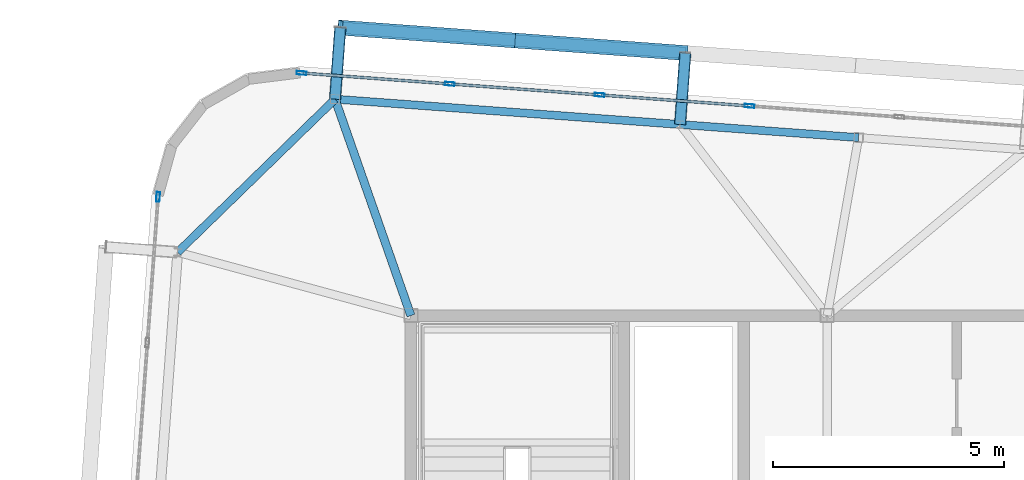
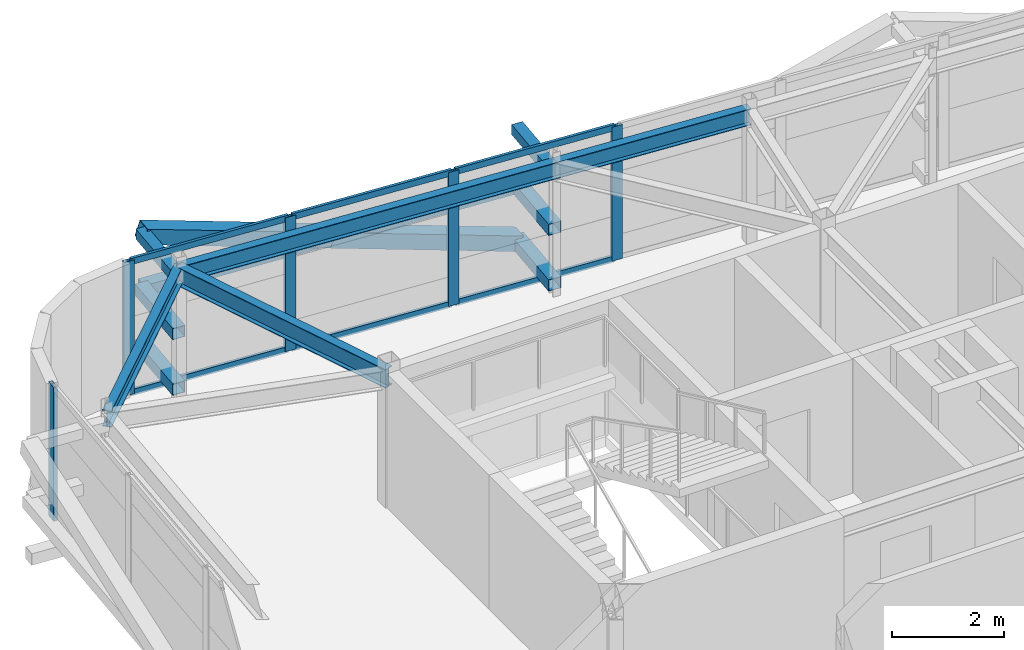
# One storey, part 26 of 42: 20 members, 4 beams, 2 elements without a shape of their own.
"""IFC4 building model written with IfcOpenShell, lengths in metres."""

import ifcopenshell
import ifcopenshell.guid

model = None  # the IFC model being written
_history = None  # IfcOwnerHistory: only IFC2X3 demands one
_inside = {}  # id of a spatial element -> (the spatial element, [elements in it])
_under = {}  # id of a project, library or spatial element -> (it, [spatial elements below it])
_declared = {}  # id of a project -> (the project, [libraries it declares])
_typed = {}  # id of a type object -> (the type object, [elements of that type])
_made_of = {}  # id of a material, layer set ... -> (it, [elements and type objects made of it])


def new_model(schema):
    """Start an empty IFC model of exactly this schema.

    Asked for "IFC4X3", IfcOpenShell would pick the latest addendum, in which some entities
    have other attributes; the version numbers below select the first issue.
    IFC2X3 requires an IfcOwnerHistory on every rooted entity: one is made here for all.
    """
    global model, _history
    if schema == "IFC4X3":
        model = ifcopenshell.file(schema_version=(4, 3, 0, 0))
    else:
        model = ifcopenshell.file(schema=schema)
    _inside.clear()
    _under.clear()
    _declared.clear()
    _typed.clear()
    _made_of.clear()
    _history = None
    if model.schema == "IFC2X3":
        org = make("IfcOrganization", Name="unknown")
        user = make(
            "IfcPersonAndOrganization",
            ThePerson=make("IfcPerson", FamilyName="unknown"),
            TheOrganization=org,
        )
        app = make(
            "IfcApplication",
            ApplicationDeveloper=org,
            Version="unknown",
            ApplicationFullName="unknown",
            ApplicationIdentifier="unknown",
        )
        _history = make(
            "IfcOwnerHistory",
            OwningUser=user,
            OwningApplication=app,
            ChangeAction="ADDED",
            CreationDate=0,
        )
    return model


def make(cls, **values):
    """One entity of the class cls with the attributes given. An attribute that is None is left unset."""
    return model.create_entity(
        cls, **{name: value for name, value in values.items() if value is not None}
    )


def rooted(cls, **values):
    """An entity with a GlobalId (a new one), such as an element, a storey or a relation."""
    return make(cls, GlobalId=ifcopenshell.guid.new(), OwnerHistory=_history, **values)


def si_unit(unit_type, name, prefix=None):
    """IfcSIUnit, for example si_unit("LENGTHUNIT", "METRE", prefix="MILLI")."""
    return make("IfcSIUnit", UnitType=unit_type, Prefix=prefix, Name=name)


def assignment(units):
    """IfcUnitAssignment: the units of a project."""
    return None if units is None else make("IfcUnitAssignment", Units=units)


def point(xyz):
    """IfcCartesianPoint."""
    return None if xyz is None else make("IfcCartesianPoint", Coordinates=xyz)


def direction(xyz):
    """IfcDirection."""
    return None if xyz is None else make("IfcDirection", DirectionRatios=xyz)


def frame(location, z_axis=None, x_axis=None):
    """IfcAxis2Placement3D, a coordinate frame: its origin and axes. An axis left out is left unset."""
    return make(
        "IfcAxis2Placement3D",
        Location=point(location),
        Axis=direction(z_axis),
        RefDirection=direction(x_axis),
    )


def frame_2d(location, x_axis=None):
    """IfcAxis2Placement2D, a coordinate frame in the plane: its origin and x axis."""
    return make(
        "IfcAxis2Placement2D", Location=point(location), RefDirection=direction(x_axis)
    )


def origin():
    """The frame at (0, 0, 0) with its axes left unset."""
    return frame((0.0, 0.0, 0.0))


def origin_2d():
    """The frame at (0, 0) in the plane with its x axis left unset."""
    return frame_2d((0.0, 0.0))


def place(relative_to, where):
    """IfcLocalPlacement: puts the frame where relative to a parent placement (None: the world)."""
    return make(
        "IfcLocalPlacement", PlacementRelTo=relative_to, RelativePlacement=where
    )


def context(
    kind, dimensions, precision=None, world=None, true_north=None, identifier=None
):
    """IfcGeometricRepresentationContext, for example the 3D "Model" context."""
    return make(
        "IfcGeometricRepresentationContext",
        ContextIdentifier=identifier,
        ContextType=kind,
        CoordinateSpaceDimension=dimensions,
        Precision=precision,
        WorldCoordinateSystem=world,
        TrueNorth=true_north,
    )


def subcontext(parent, identifier, kind, view, scale=None):
    """IfcGeometricRepresentationSubContext, for example "Body" below "Model"."""
    return make(
        "IfcGeometricRepresentationSubContext",
        ContextIdentifier=identifier,
        ContextType=kind,
        ParentContext=parent,
        TargetScale=scale,
        TargetView=view,
    )


def project(units=None, contexts=None):
    """IfcProject with its units and contexts."""
    return rooted(
        "IfcProject",
        Name="project",
        RepresentationContexts=contexts,
        UnitsInContext=assignment(units),
    )


def spatial(cls, under=None, at=None, **own):
    """A site, building, storey or space (cls), placed at a placement, below another one or the project."""
    s = rooted(cls, ObjectPlacement=at, **own)
    if under is not None:
        _under.setdefault(under.id(), (under, []))[1].append(s)
    return s


def profile(cls, at=None, kind="AREA", **sizes):
    """A parametric profile (cls). Its sizes go by their IFC names, for example OverallWidth=200.0."""
    return make(cls, ProfileType=kind, Position=at, **sizes)


def hollow_rectangle(**sizes):
    """IfcRectangleHollowProfileDef."""
    return profile("IfcRectangleHollowProfileDef", **sizes)


def i_section(**sizes):
    """IfcIShapeProfileDef."""
    return profile("IfcIShapeProfileDef", **sizes)


def extrude(swept, where, along, depth):
    """IfcExtrudedAreaSolid: the profile swept, set in the frame where, extruded along a direction by depth."""
    return make(
        "IfcExtrudedAreaSolid",
        SweptArea=swept,
        Position=where,
        ExtrudedDirection=direction(along),
        Depth=depth,
    )


def shape(context_of_items, identifier, shape_type, items):
    """IfcShapeRepresentation: the items that make up one representation, for example the "Body"."""
    return make(
        "IfcShapeRepresentation",
        ContextOfItems=context_of_items,
        RepresentationIdentifier=identifier,
        RepresentationType=shape_type,
        Items=items,
    )


def source(mapping_origin, context_of_items, identifier, shape_type, items):
    """IfcRepresentationMap: a shape defined once, which mapped items show again and again."""
    return make(
        "IfcRepresentationMap",
        MappingOrigin=mapping_origin,
        MappedRepresentation=shape(context_of_items, identifier, shape_type, items),
    )


def transform(
    local_origin,
    x_axis=None,
    y_axis=None,
    z_axis=None,
    scale=None,
    scale2=None,
    scale3=None,
    uniform=True,
):
    """IfcCartesianTransformationOperator3D, or its non-uniform kind. x_axis, y_axis, z_axis: its Axis1, 2, 3."""
    if uniform:
        return make(
            "IfcCartesianTransformationOperator3D",
            Axis1=direction(x_axis),
            Axis2=direction(y_axis),
            LocalOrigin=point(local_origin),
            Scale=scale,
            Axis3=direction(z_axis),
        )
    return make(
        "IfcCartesianTransformationOperator3DnonUniform",
        Axis1=direction(x_axis),
        Axis2=direction(y_axis),
        LocalOrigin=point(local_origin),
        Scale=scale,
        Axis3=direction(z_axis),
        Scale2=scale2,
        Scale3=scale3,
    )


def mapped(mapping_source, mapping_target):
    """IfcMappedItem: shows the shape of a source again, moved by a transform."""
    return make(
        "IfcMappedItem", MappingSource=mapping_source, MappingTarget=mapping_target
    )


def material(Name=None, Category=None):
    """IfcMaterial."""
    return make("IfcMaterial", Name=Name, Category=Category)


def layer(
    of_material, thickness, ventilated=None, Name=None, Category=None, Priority=None
):
    """IfcMaterialLayer: one layer of a wall or slab, of a material (None: an air gap)."""
    return make(
        "IfcMaterialLayer",
        Material=of_material,
        LayerThickness=thickness,
        IsVentilated=ventilated,
        Name=Name,
        Category=Category,
        Priority=Priority,
    )


def layer_set(layers, Name=None):
    """IfcMaterialLayerSet."""
    return make("IfcMaterialLayerSet", MaterialLayers=layers, LayerSetName=Name)


def material_profile(
    of_material, cross_section, Name=None, Category=None, Priority=None
):
    """IfcMaterialProfile: a cross section and its material."""
    return make(
        "IfcMaterialProfile",
        Name=Name,
        Material=of_material,
        Profile=cross_section,
        Priority=Priority,
        Category=Category,
    )


def profile_set(profiles, Name=None, composite=None):
    """IfcMaterialProfileSet."""
    return make(
        "IfcMaterialProfileSet",
        Name=Name,
        MaterialProfiles=profiles,
        CompositeProfile=composite,
    )


def made_of(thing, what):
    """Note that an element or type object is made of a material, layer set ...; save() writes the relation."""
    if what is not None:
        _made_of.setdefault(what.id(), (what, []))[1].append(thing)
    return thing


def type_object(cls, material=None, **own):
    """A type object (cls), such as IfcWallType, which elements share."""
    return made_of(rooted(cls, **own), material)


def element(
    cls,
    number,
    at=None,
    inside=None,
    cuts=None,
    type_object=None,
    material=None,
    context=None,
    identifier="Body",
    shape_type=None,
    held_by="IfcProductDefinitionShape",
    body=None,
    shapes=None,
    **own,
):
    """One element of the class cls, such as IfcWall. Its Tag is "e" and its number.

    at: its placement. inside: the storey or other place that contains it. cuts: it is an
    opening in that element (IfcRelVoidsElement). A single representation is given by context,
    identifier, shape_type and body (its items); several are given by shapes. held_by: the class
    of the entity that holds the representations. save() writes the other relations.
    """
    e = rooted(cls, Tag="e%d" % number, ObjectPlacement=at, **own)
    if body is not None:
        shapes = [shape(context, identifier, shape_type, body)]
    if shapes is not None:
        e.Representation = make(held_by, Representations=shapes)
    if inside is not None:
        _inside.setdefault(inside.id(), (inside, []))[1].append(e)
    if cuts is not None:
        rooted(
            "IfcRelVoidsElement", RelatingBuildingElement=cuts, RelatedOpeningElement=e
        )
    if type_object is not None:
        _typed.setdefault(type_object.id(), (type_object, []))[1].append(e)
    return made_of(e, material)


def aggregate(whole, parts):
    """IfcRelAggregates: a whole, such as a stair, and the parts it consists of."""
    return rooted("IfcRelAggregates", RelatingObject=whole, RelatedObjects=parts)


def save(model, path):
    """Write the relations noted so far, then the file.

    IfcRelAggregates (storeys below a building ...), IfcRelContainedInSpatialStructure (elements
    in a storey), IfcRelDefinesByType, IfcRelAssociatesMaterial and IfcRelDeclares: one each for
    every whole, place, type object, material and project.
    """
    for whole, parts in _under.values():
        aggregate(whole, parts)
    for where, things in _inside.values():
        rooted(
            "IfcRelContainedInSpatialStructure",
            RelatedElements=things,
            RelatingStructure=where,
        )
    for kind, things in _typed.values():
        rooted("IfcRelDefinesByType", RelatedObjects=things, RelatingType=kind)
    for what, things in _made_of.values():
        rooted("IfcRelAssociatesMaterial", RelatedObjects=things, RelatingMaterial=what)
    for by, libraries in _declared.values():
        rooted("IfcRelDeclares", RelatingContext=by, RelatedDefinitions=libraries)
    model.write(path)


model = new_model("IFC4")

# Units and contexts
model_context = context("Model", 3, precision=1e-05, world=origin(), true_north=direction((0.0, 1.0)))
body_context = subcontext(model_context, "Body", "Model", "MODEL_VIEW")
ifc_project = project(units=[si_unit("LENGTHUNIT", "METRE"), si_unit("AREAUNIT", "SQUARE_METRE"), si_unit("VOLUMEUNIT", "CUBIC_METRE"), si_unit("PLANEANGLEUNIT", "RADIAN"), si_unit("MASSUNIT", "GRAM", prefix="KILO")], contexts=[model_context])

# Site, building, storey
site_placement = place(None, origin())
site = spatial("IfcSite", under=ifc_project, at=site_placement, CompositionType="ELEMENT")
building_placement = place(site_placement, origin())
building = spatial("IfcBuilding", under=site, at=building_placement, Name="Taldren Reach Tower", CompositionType="ELEMENT")
storey_placement = place(building_placement, frame((0.0, 0.0, 214.550048828125)))
storey = spatial("IfcBuildingStorey", under=building, at=storey_placement, Name="L65", CompositionType="ELEMENT", Elevation=214.550048828125)

# Members
ifc_material_1 = material(Name="Steel Gr 350 (C350L0)", Category="steel")
ifc_material_profile_1 = material_profile(ifc_material_1, hollow_rectangle(XDim=0.25, YDim=0.25, WallThickness=0.010009765625, at=origin_2d()), Name="250x250x10.0SHS")
ifc_profile_set_1 = profile_set([ifc_material_profile_1], Name="Steel Gr 350 (C350L0)")
member_type_1 = type_object("IfcMemberType", Name="MB-POST250", PredefinedType="POST", material=ifc_profile_set_1)
shared_shape_1 = source(origin(), body_context, "Body", "SweptSolid", [
    extrude(hollow_rectangle(XDim=0.25, YDim=0.25, WallThickness=0.010009765625, at=origin_2d()), origin(), (0.0, 0.0, 1.0), 1.5498046875),
])
for number, where, z_axis, x_axis, name in (
    (1, (17.35986328125, 36.678955078125, 0.219970703125), (0.073250797913, 0.997313551801, 0.0), (-0.997313551801, 0.073250797913, 0.0), "Exoskeleton base diaphragm tie strut B5-N1 L65"),
    (2, (17.35986328125, 36.678955078125, 1.43505859375), (0.073250797913, 0.997313551801, 0.0), (-0.997313551801, 0.073250797913, 0.0), "Exoskeleton mid-tier diaphragm tie B5-N1 L65"),
):
    element("IfcMember", number, at=place(storey_placement, frame(where, z_axis=z_axis, x_axis=x_axis)), inside=storey, type_object=member_type_1, Name=name, PredefinedType="POST", context=body_context, shape_type="MappedRepresentation", body=[
        mapped(shared_shape_1, transform((0.0, 0.0, 0.0), scale=1.0)),
    ])
shared_shape_2 = source(origin(), body_context, "Body", "SweptSolid", [
    extrude(hollow_rectangle(XDim=0.25, YDim=0.25, WallThickness=0.010009765625, at=origin_2d()), origin(), (0.0, 0.0, 1.0), 1.550048828125),
])
for number, where, z_axis, x_axis, name in (
    (3, (24.819580078125, 36.131103515625, 0.219970703125), (0.07323929162, 0.997314396849, 0.0), (-0.997314396849, 0.07323929162, 0.0), "Exoskeleton base diaphragm tie strut B5-N2 L65"),
    (4, (24.819580078125, 36.131103515625, 1.43505859375), (0.07323929162, 0.997314396849, 0.0), (-0.997314396849, 0.07323929162, 0.0), "Exoskeleton mid-tier diaphragm tie B5-N2 L65"),
):
    element("IfcMember", number, at=place(storey_placement, frame(where, z_axis=z_axis, x_axis=x_axis)), inside=storey, type_object=member_type_1, Name=name, PredefinedType="POST", context=body_context, shape_type="MappedRepresentation", body=[
        mapped(shared_shape_2, transform((0.0, 0.0, 0.0), scale=1.0)),
    ])
ifc_material_2 = material(Name="Steel Gr 450 (C450L0)", Category="steel")
ifc_material_profile_2 = material_profile(ifc_material_2, hollow_rectangle(XDim=0.219970703125, YDim=0.219970703125, WallThickness=0.00830078125, at=origin_2d()), Name="220x220x8.2SHS")
ifc_profile_set_2 = profile_set([ifc_material_profile_2], Name="Steel Gr 450 (C450L0)")
member_type_2 = type_object("IfcMemberType", Name="MB-TIE219", PredefinedType="STRUT", material=ifc_profile_set_2)
shared_shape_3 = source(origin(), body_context, "Body", "SweptSolid", [
    extrude(hollow_rectangle(XDim=0.219970703125, YDim=0.219970703125, WallThickness=0.00830078125, at=origin_2d()), origin(), (0.0, 0.0, 1.0), 1.5498046875),
])
member_1_placement = place(storey_placement, frame((17.35986328125, 36.678955078125, 2.64990234375), z_axis=(0.073250797913, 0.997313551801, 0.0), x_axis=(-0.997313551801, 0.073250797913, 0.0)))
element("IfcMember", 5, at=member_1_placement, inside=storey, type_object=member_type_2, Name="Exoskeleton diaphragm tie strut B5-N1 L65", PredefinedType="STRUT", context=body_context, shape_type="MappedRepresentation", body=[
    mapped(shared_shape_3, transform((0.0, 0.0, 0.0), scale=1.0)),
])
shared_shape_4 = source(origin(), body_context, "Body", "SweptSolid", [
    extrude(hollow_rectangle(XDim=0.219970703125, YDim=0.219970703125, WallThickness=0.00830078125, at=origin_2d()), origin(), (0.0, 0.0, 1.0), 1.550048828125),
])
member_2_placement = place(storey_placement, frame((24.819580078125, 36.131103515625, 2.64990234375), z_axis=(0.07323929162, 0.997314396849, 0.0), x_axis=(-0.997314396849, 0.07323929162, 0.0)))
element("IfcMember", 6, at=member_2_placement, inside=storey, type_object=member_type_2, Name="Exoskeleton diaphragm tie strut B5-N2 L65", PredefinedType="STRUT", context=body_context, shape_type="MappedRepresentation", body=[
    mapped(shared_shape_4, transform((0.0, 0.0, 0.0), scale=1.0)),
])

# Beams
ifc_material_3 = material(Name="Steel Gr 350 (350PLUS)", Category="steel")
ifc_material_profile_3 = material_profile(ifc_material_3, i_section(OverallWidth=0.172119140625, OverallDepth=0.35888671875, WebThickness=0.008056640625, FlangeThickness=0.012939453125, at=origin_2d()), Name="360UB56.7")
ifc_profile_set_3 = profile_set([ifc_material_profile_3], Name="Steel Gr 350 (350PLUS)")
beam_type_1 = type_object("IfcBeamType", Name="SP-UB360", PredefinedType="SPANDREL", material=ifc_profile_set_3)
shared_shape_5 = source(origin(), body_context, "Body", "SweptSolid", [
    extrude(i_section(OverallWidth=0.172119140625, OverallDepth=0.35888671875, WebThickness=0.008056640625, FlangeThickness=0.012939453125, at=origin_2d()), origin(), (0.0, 0.0, 1.0), 7.479736328125),
])
beam_1_placement = place(storey_placement, frame((24.819580078125, 36.131103515625, 2.75048828125), z_axis=(-0.997314045547, 0.073244075215, 0.0), x_axis=(-0.073244075215, -0.997314045547, 0.0)))
element("IfcBeam", 7, at=beam_1_placement, inside=storey, type_object=beam_type_1, Name="Perimeter spandrel B5 N2-N1 L65", PredefinedType="SPANDREL", context=body_context, shape_type="MappedRepresentation", body=[
    mapped(shared_shape_5, transform((0.0, 0.0, 0.0), scale=1.0)),
])
shared_shape_6 = source(origin(), body_context, "Body", "SweptSolid", [
    extrude(i_section(OverallWidth=0.172119140625, OverallDepth=0.35888671875, WebThickness=0.008056640625, FlangeThickness=0.012939453125, at=origin_2d()), origin(), (0.0, 0.0, 1.0), 4.74609375),
])
beam_2_placement = place(storey_placement, frame((17.35986328125, 36.678955078125, 2.75048828125), z_axis=(-0.716711338436, -0.697369957309, 0.0), x_axis=(0.697369957309, -0.716711338436, 0.0)))
element("IfcBeam", 8, at=beam_2_placement, inside=storey, type_object=beam_type_1, Name="Perimeter spandrel B5 N1-W3 L65", PredefinedType="SPANDREL", context=body_context, shape_type="MappedRepresentation", body=[
    mapped(shared_shape_6, transform((0.0, 0.0, 0.0), scale=1.0)),
])
shared_shape_7 = source(origin(), body_context, "Body", "SweptSolid", [
    extrude(i_section(OverallWidth=0.172119140625, OverallDepth=0.35888671875, WebThickness=0.008056640625, FlangeThickness=0.012939453125, at=origin_2d()), origin(), (0.0, 0.0, 1.0), 3.8701171875),
])
beam_3_placement = place(storey_placement, frame((28.67919921875, 35.84765625, 2.75048828125), z_axis=(-0.997314202545, 0.073241937451, 0.0), x_axis=(-0.073241937451, -0.997314202545, 0.0)))
element("IfcBeam", 9, at=beam_3_placement, inside=storey, type_object=beam_type_1, Name="Perimeter spandrel B5 PJN1-N2 L65", PredefinedType="SPANDREL", context=body_context, shape_type="MappedRepresentation", body=[
    mapped(shared_shape_7, transform((0.0, 0.0, 0.0), scale=1.0)),
])
ifc_material_profile_4 = material_profile(ifc_material_3, i_section(OverallWidth=0.177978515625, OverallDepth=0.406005859375, WebThickness=0.0078125, FlangeThickness=0.0126953125, at=origin_2d()), Name="410UB59.7")
ifc_profile_set_4 = profile_set([ifc_material_profile_4], Name="Steel Gr 350 (350PLUS)")
beam_type_2 = type_object("IfcBeamType", Name="BM-UB410", PredefinedType="BEAM", material=ifc_profile_set_4)
shared_shape_8 = source(origin(), body_context, "Body", "SweptSolid", [
    extrude(i_section(OverallWidth=0.177978515625, OverallDepth=0.406005859375, WebThickness=0.0078125, FlangeThickness=0.0126953125, at=origin_2d()), origin(), (0.0, 0.0, 1.0), 4.9580078125),
])
beam_4_placement = place(storey_placement, frame((19.0, 32.0, 2.72705078125), z_axis=(-0.330800025288, 0.943700875951, 0.0), x_axis=(-0.943700875951, -0.330800025288, 0.0)))
element("IfcBeam", 10, at=beam_4_placement, inside=storey, type_object=beam_type_2, Name="Primary floor girder B5-N1 L65", PredefinedType="BEAM", context=body_context, shape_type="MappedRepresentation", body=[
    mapped(shared_shape_8, transform((0.0, 0.0, 0.0), scale=1.0)),
])

# Members
ifc_material_profile_5 = material_profile(ifc_material_2, hollow_rectangle(XDim=0.324951171875, YDim=0.324951171875, WallThickness=0.0126953125, at=origin_2d()), Name="325x325x12.7SHS")
ifc_profile_set_5 = profile_set([ifc_material_profile_5], Name="Steel Gr 450 (C450L0)")
member_type_3 = type_object("IfcMemberType", Name="MB-BR324", PredefinedType="BRACE", material=ifc_profile_set_5)
shared_shape_9 = source(origin(), body_context, "Body", "SweptSolid", [
    extrude(hollow_rectangle(XDim=0.324951171875, YDim=0.324951171875, WallThickness=0.0126953125, at=origin_2d()), origin(), (0.0, 0.0, 1.0), 3.932373046875),
])
member_3_placement = place(storey_placement, frame((21.203369140625, 37.95068359375, 1.43505859375), z_axis=(-0.948529326954, 0.06965898055, 0.308933232813), x_axis=(-0.07324169103, -0.997314220642, 0.0)))
element("IfcMember", 11, at=member_3_placement, inside=storey, type_object=member_type_3, Name="Exoskeleton Diagrid Brace B5-N1 L65", PredefinedType="BRACE", context=body_context, shape_type="MappedRepresentation", body=[
    mapped(shared_shape_9, transform((0.0, 0.0, 0.0), scale=1.0)),
])
shared_shape_10 = source(origin(), body_context, "Body", "SweptSolid", [
    extrude(hollow_rectangle(XDim=0.324951171875, YDim=0.324951171875, WallThickness=0.0126953125, at=origin_2d()), origin(), (0.0, 0.0, 1.0), 3.93212890625),
])
member_4_placement = place(storey_placement, frame((24.93310546875, 37.677001953125, 0.219970703125), z_axis=(-0.948509004245, 0.069599960317, 0.309008922833), x_axis=(-0.073181527281, -0.997318637179, 0.0)))
element("IfcMember", 12, at=member_4_placement, inside=storey, type_object=member_type_3, Name="Exoskeleton Diagrid Brace B5-N1 L65", PredefinedType="BRACE", context=body_context, shape_type="MappedRepresentation", body=[
    mapped(shared_shape_10, transform((0.0, 0.0, 0.0), scale=1.0)),
])
shared_shape_11 = source(origin(), body_context, "Body", "SweptSolid", [
    extrude(hollow_rectangle(XDim=0.25, YDim=0.25, WallThickness=0.010009765625, at=origin_2d()), origin(), (0.0, 0.0, 1.0), 7.479736328125),
])
member_5_placement = place(storey_placement, frame((17.473388671875, 38.224609375, 1.43505859375), z_axis=(0.997316429287, -0.07321161024, 0.0), x_axis=(0.07321161024, 0.997316429287, 0.0)))
element("IfcMember", 13, at=member_5_placement, inside=storey, type_object=member_type_1, Name="Exoskeleton mid-height ring chord B5-N1 L65", PredefinedType="POST", context=body_context, shape_type="MappedRepresentation", body=[
    mapped(shared_shape_11, transform((0.0, 0.0, 0.0), scale=1.0)),
])

# Curtain wall, members
ifc_material_4 = material(Name="Aluminium and Low-E Glass Unitised System", Category="aluminium")
ifc_layer = layer(ifc_material_4, 0.159912109375)
ifc_layer_set = layer_set([ifc_layer], Name="Aluminium and Low-E Glass Unitised System")
curtain_wall_type = type_object("IfcCurtainWallType", Name="CW-SYS-6", PredefinedType="NOTDEFINED", material=ifc_layer_set)
curtain_wall_1_placement = place(storey_placement, origin())
curtain_wall_1 = element("IfcCurtainWall", 14, at=curtain_wall_1_placement, inside=storey, type_object=curtain_wall_type, Name="Unitised curtain wall CW-L65-N", PredefinedType="NOTDEFINED")
ifc_material_5 = material(Name="Anodised Aluminium 6063-T6", Category="aluminium")
ifc_material_profile_6 = material_profile(ifc_material_5, hollow_rectangle(XDim=0.074951171875, YDim=0.2099609375, WallThickness=0.00439453125, at=origin_2d()), Name="ALU-210x75x4.5RHS")
ifc_profile_set_6 = profile_set([ifc_material_profile_6], Name="Anodised Aluminium 6063-T6")
member_type_4 = type_object("IfcMemberType", Name="CW-MUL-200", PredefinedType="MULLION", material=ifc_profile_set_6)
shared_shape_12 = source(origin(), body_context, "Body", "SweptSolid", [
    extrude(hollow_rectangle(XDim=0.074951171875, YDim=0.2099609375, WallThickness=0.00439453125, at=origin_2d()), origin(), (0.0, 0.0, 1.0), 2.929931640625),
])
member_6_placement = place(storey_placement, frame((26.322998046875, 36.531982421875, 0.0), z_axis=(0.0, 0.0, 1.0), x_axis=(-0.073238213716, -0.997314476006, 0.0)))
member_6 = element("IfcMember", 15, at=member_6_placement, type_object=member_type_4, Name="CW-6 mullion 10", PredefinedType="MULLION", context=body_context, shape_type="MappedRepresentation", body=[
    mapped(shared_shape_12, transform((0.0, 0.0, 0.0), scale=1.0)),
])
member_7_placement = place(storey_placement, frame((23.081787109375, 36.77001953125, 0.0), z_axis=(0.0, 0.0, 1.0), x_axis=(-0.073238213716, -0.997314476006, 0.0)))
member_7 = element("IfcMember", 16, at=member_7_placement, type_object=member_type_4, Name="CW-6 mullion 11", PredefinedType="MULLION", context=body_context, shape_type="MappedRepresentation", body=[
    mapped(shared_shape_12, transform((0.0, 0.0, 0.0), scale=1.0)),
])
member_8_placement = place(storey_placement, frame((19.840576171875, 37.008056640625, 0.0), z_axis=(0.0, 0.0, 1.0), x_axis=(-0.073238213716, -0.997314476006, 0.0)))
member_8 = element("IfcMember", 17, at=member_8_placement, type_object=member_type_4, Name="CW-6 mullion 12", PredefinedType="MULLION", context=body_context, shape_type="MappedRepresentation", body=[
    mapped(shared_shape_12, transform((0.0, 0.0, 0.0), scale=1.0)),
])
member_9_placement = place(storey_placement, frame((16.63671875, 37.243408203125, 0.0), z_axis=(0.0, 0.0, 1.0), x_axis=(-0.073238213716, -0.997314476006, 0.0)))
member_9 = element("IfcMember", 18, at=member_9_placement, type_object=member_type_4, Name="CW-6 mullion 13", PredefinedType="MULLION", context=body_context, shape_type="MappedRepresentation", body=[
    mapped(shared_shape_12, transform((0.0, 0.0, 0.0), scale=1.0)),
])

# Curtain wall, member
curtain_wall_2_placement = place(storey_placement, origin())
curtain_wall_2 = element("IfcCurtainWall", 19, at=curtain_wall_2_placement, inside=storey, type_object=curtain_wall_type, Name="Unitised curtain wall CW-L65-W", PredefinedType="NOTDEFINED")
member_10_placement = place(storey_placement, frame((13.53466796875, 34.56591796875, 0.0), z_axis=(0.0, 0.0, 1.0), x_axis=(0.997314470951, -0.073238282558, 0.0)))
member_10 = element("IfcMember", 20, at=member_10_placement, type_object=member_type_4, Name="CW-6 mullion 1", PredefinedType="MULLION", context=body_context, shape_type="MappedRepresentation", body=[
    mapped(shared_shape_12, transform((0.0, 0.0, 0.0), scale=1.0)),
])
aggregate(curtain_wall_2, [member_10])

# Member
ifc_material_profile_7 = material_profile(ifc_material_5, hollow_rectangle(XDim=0.06005859375, YDim=0.135009765625, WallThickness=0.00341796875, at=origin_2d()), Name="ALU-135x60x3.5RHS")
ifc_profile_set_7 = profile_set([ifc_material_profile_7], Name="Anodised Aluminium 6063-T6")
member_type_5 = type_object("IfcMemberType", Name="CW-TRN-150", PredefinedType="USERDEFINED", material=ifc_profile_set_7)
shared_shape_13 = source(origin(), body_context, "Body", "SweptSolid", [
    extrude(hollow_rectangle(XDim=0.06005859375, YDim=0.135009765625, WallThickness=0.00341796875, at=origin_2d()), origin(), (0.0, 0.0, 1.0), 3.175048828125),
])
member_11_placement = place(storey_placement, frame((26.28564453125, 36.53466796875, 0.030029296875), z_axis=(-0.997311428111, 0.073279706322, 0.0), x_axis=(-0.073279706322, -0.997311428111, 0.0)))
member_11 = element("IfcMember", 21, at=member_11_placement, type_object=member_type_5, Name="CW-6 transom 10.1", ObjectType="TRANSOM", PredefinedType="USERDEFINED", context=body_context, shape_type="MappedRepresentation", body=[
    mapped(shared_shape_13, transform((0.0, 0.0, 0.0), scale=1.0)),
])

member_12_placement = place(storey_placement, frame((26.28564453125, 36.53466796875, 2.89990234375), z_axis=(-0.997311428111, 0.073279706322, 0.0), x_axis=(-0.073279706322, -0.997311428111, 0.0)))
member_12 = element("IfcMember", 22, at=member_12_placement, type_object=member_type_5, Name="CW-6 transom 10.2", ObjectType="TRANSOM", PredefinedType="USERDEFINED", context=body_context, shape_type="MappedRepresentation", body=[
    mapped(shared_shape_13, transform((0.0, 0.0, 0.0), scale=1.0)),
])

member_13_placement = place(storey_placement, frame((23.04443359375, 36.772705078125, 0.030029296875), z_axis=(-0.997311428111, 0.073279706322, 0.0), x_axis=(-0.073279706322, -0.997311428111, 0.0)))
member_13 = element("IfcMember", 23, at=member_13_placement, type_object=member_type_5, Name="CW-6 transom 11.1", ObjectType="TRANSOM", PredefinedType="USERDEFINED", context=body_context, shape_type="MappedRepresentation", body=[
    mapped(shared_shape_13, transform((0.0, 0.0, 0.0), scale=1.0)),
])

member_14_placement = place(storey_placement, frame((23.04443359375, 36.772705078125, 2.89990234375), z_axis=(-0.997311428111, 0.073279706322, 0.0), x_axis=(-0.073279706322, -0.997311428111, 0.0)))
member_14 = element("IfcMember", 24, at=member_14_placement, type_object=member_type_5, Name="CW-6 transom 11.2", ObjectType="TRANSOM", PredefinedType="USERDEFINED", context=body_context, shape_type="MappedRepresentation", body=[
    mapped(shared_shape_13, transform((0.0, 0.0, 0.0), scale=1.0)),
])

shared_shape_14 = source(origin(), body_context, "Body", "SweptSolid", [
    extrude(hollow_rectangle(XDim=0.06005859375, YDim=0.135009765625, WallThickness=0.00341796875, at=origin_2d()), origin(), (0.0, 0.0, 1.0), 3.137451171875),
])
member_15_placement = place(storey_placement, frame((19.80322265625, 37.0107421875, 0.030029296875), z_axis=(-0.997315736795, 0.073221043015, 0.0), x_axis=(-0.073221043015, -0.997315736795, 0.0)))
member_15 = element("IfcMember", 25, at=member_15_placement, type_object=member_type_5, Name="CW-6 transom 12.1", ObjectType="TRANSOM", PredefinedType="USERDEFINED", context=body_context, shape_type="MappedRepresentation", body=[
    mapped(shared_shape_14, transform((0.0, 0.0, 0.0), scale=1.0)),
])

member_16_placement = place(storey_placement, frame((19.80322265625, 37.0107421875, 2.89990234375), z_axis=(-0.997315736795, 0.073221043015, 0.0), x_axis=(-0.073221043015, -0.997315736795, 0.0)))
member_16 = element("IfcMember", 26, at=member_16_placement, type_object=member_type_5, Name="CW-6 transom 12.2", ObjectType="TRANSOM", PredefinedType="USERDEFINED", context=body_context, shape_type="MappedRepresentation", body=[
    mapped(shared_shape_14, transform((0.0, 0.0, 0.0), scale=1.0)),
])

aggregate(curtain_wall_1, [member_6, member_7, member_8, member_9, member_11, member_12, member_13, member_14, member_15, member_16])

save(model, "model.ifc")
